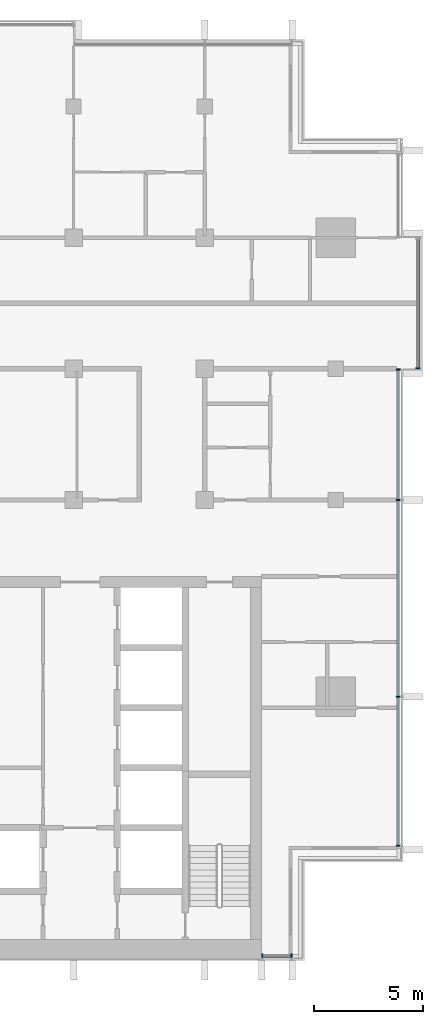
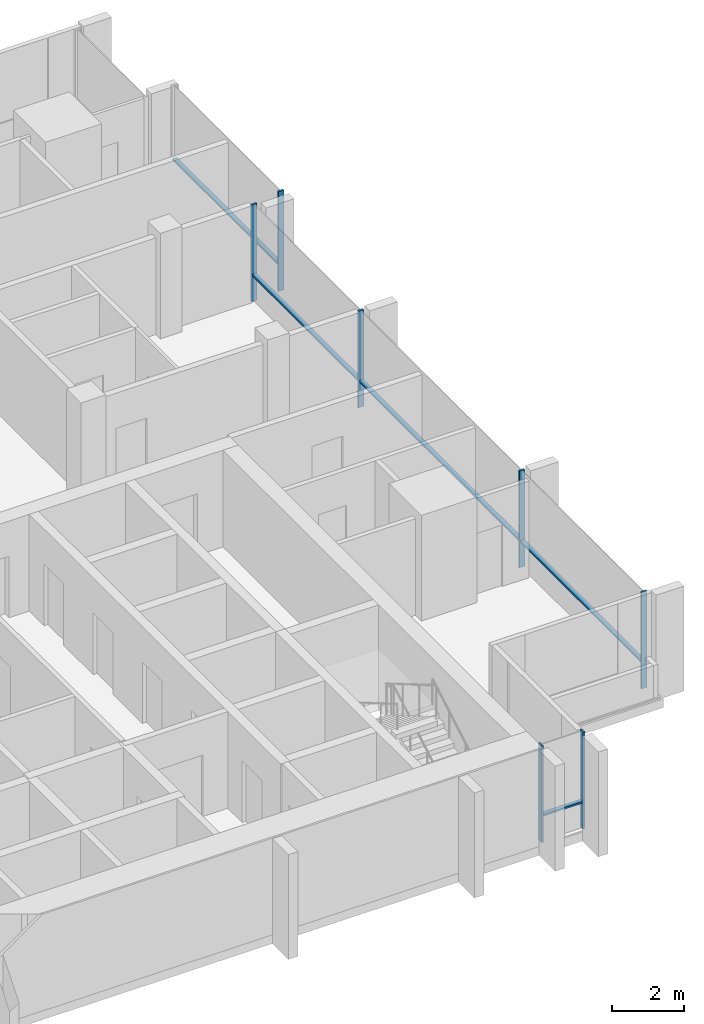
# One storey, part 3 of 16: 12 members, 3 elements without a shape of their own.
"""IFC4 building model written with IfcOpenShell, lengths in metres."""

from ifc_helpers import new_model, si_unit, direction, frame, origin, origin_2d, place, context, subcontext, project, spatial, rectangle, extrude, material, material_profile, profile_set, type_object, element, aggregate, save


model = new_model("IFC4")

# Units and contexts
model_context = context("Model", 3, precision=1e-05, world=origin(), true_north=direction((0.0, 1.0)))
body_context = subcontext(model_context, "Body", "Model", "MODEL_VIEW")
ifc_project = project(units=[si_unit("LENGTHUNIT", "METRE"), si_unit("AREAUNIT", "SQUARE_METRE"), si_unit("VOLUMEUNIT", "CUBIC_METRE"), si_unit("PLANEANGLEUNIT", "RADIAN"), si_unit("MASSUNIT", "GRAM", prefix="KILO")], contexts=[model_context])

# Site, building, storey
site_placement = place(None, origin())
site = spatial("IfcSite", under=ifc_project, at=site_placement, CompositionType="ELEMENT")
building_placement = place(site_placement, origin())
building = spatial("IfcBuilding", under=site, at=building_placement, Name="Finial Court Residences", CompositionType="ELEMENT")
storey_placement = place(building_placement, frame((0.0, 0.0, 255.5)))
storey = spatial("IfcBuildingStorey", under=building, at=storey_placement, Name="L64", CompositionType="ELEMENT", Elevation=255.5)

# Curtain wall, members
ifc_material = material(Name="Bronze anodised aluminium", Category="aluminium")
curtain_wall_type = type_object("IfcCurtainWallType", Name="Unitised curtain wall, upper zones", PredefinedType="NOTDEFINED", material=ifc_material)
curtain_wall_1_placement = place(storey_placement, origin())
curtain_wall_1 = element("IfcCurtainWall", 1, at=curtain_wall_1_placement, inside=storey, type_object=curtain_wall_type, Name="E-L64-CW-E4", PredefinedType="NOTDEFINED")
ifc_material_profile_1 = material_profile(ifc_material, rectangle(XDim=0.175048828125, YDim=0.06005859375, at=origin_2d()), Name="CW2 mullion 60 x 175")
ifc_profile_set_1 = profile_set([ifc_material_profile_1], Name="Bronze anodised aluminium")
member_type_1 = type_object("IfcMemberType", Name="CW2 mullion 60 x 175", PredefinedType="MULLION", material=ifc_profile_set_1)
member_1_placement = place(storey_placement, frame((19.35009765625, -20.320068359375, 0.0), z_axis=(0.0, 0.0, 1.0), x_axis=(-1.0, 0.0, 0.0)))
member_1 = element("IfcMember", 2, at=member_1_placement, type_object=member_type_1, Name="CW2 mullion 1", PredefinedType="MULLION", context=body_context, shape_type="SweptSolid", body=[
    extrude(rectangle(XDim=0.175048828125, YDim=0.06005859375, at=origin_2d()), origin(), (0.0, 0.0, 1.0), 3.300048828125),
])
member_2_placement = place(storey_placement, frame((19.35009765625, -13.5, 0.0), z_axis=(0.0, 0.0, 1.0), x_axis=(-1.0, 0.0, 0.0)))
member_2 = element("IfcMember", 3, at=member_2_placement, type_object=member_type_1, Name="CW2 mullion 2", PredefinedType="MULLION", context=body_context, shape_type="SweptSolid", body=[
    extrude(rectangle(XDim=0.175048828125, YDim=0.06005859375, at=origin_2d()), origin(), (0.0, 0.0, 1.0), 3.300048828125),
])
member_3_placement = place(storey_placement, frame((19.35009765625, -4.5, 0.0), z_axis=(0.0, 0.0, 1.0), x_axis=(-1.0, 0.0, 0.0)))
member_3 = element("IfcMember", 4, at=member_3_placement, type_object=member_type_1, Name="CW2 mullion 3", PredefinedType="MULLION", context=body_context, shape_type="SweptSolid", body=[
    extrude(rectangle(XDim=0.175048828125, YDim=0.06005859375, at=origin_2d()), origin(), (0.0, 0.0, 1.0), 3.300048828125),
])
member_4_placement = place(storey_placement, frame((19.35009765625, 1.469970703125, 0.0), z_axis=(0.0, 0.0, 1.0), x_axis=(-1.0, 0.0, 0.0)))
member_4 = element("IfcMember", 5, at=member_4_placement, type_object=member_type_1, Name="CW2 mullion 4", PredefinedType="MULLION", context=body_context, shape_type="SweptSolid", body=[
    extrude(rectangle(XDim=0.175048828125, YDim=0.06005859375, at=origin_2d()), origin(), (0.0, 0.0, 1.0), 3.300048828125),
])

# Curtain wall, member
curtain_wall_2_placement = place(storey_placement, origin())
curtain_wall_2 = element("IfcCurtainWall", 6, at=curtain_wall_2_placement, inside=storey, type_object=curtain_wall_type, Name="E-L64-CW-E5", PredefinedType="NOTDEFINED")
member_5_placement = place(storey_placement, frame((20.25, 1.530029296875, 0.0), z_axis=(0.0, 0.0, 1.0), x_axis=(-1.0, 0.0, 0.0)))
member_5 = element("IfcMember", 7, at=member_5_placement, type_object=member_type_1, Name="CW2 mullion 1", PredefinedType="MULLION", context=body_context, shape_type="SweptSolid", body=[
    extrude(rectangle(XDim=0.175048828125, YDim=0.06005859375, at=origin_2d()), origin(), (0.0, 0.0, 1.0), 3.39990234375),
])

# Curtain wall, members
curtain_wall_3_placement = place(storey_placement, origin())
curtain_wall_3 = element("IfcCurtainWall", 8, at=curtain_wall_3_placement, inside=storey, type_object=curtain_wall_type, Name="E-L64-CW-S8", PredefinedType="NOTDEFINED")
member_6_placement = place(storey_placement, frame((13.1298828125, -25.35009765625, 0.0), z_axis=(0.0, 0.0, 1.0), x_axis=(0.0, 1.0, 0.0)))
member_6 = element("IfcMember", 9, at=member_6_placement, type_object=member_type_1, Name="CW2 mullion 1", PredefinedType="MULLION", context=body_context, shape_type="SweptSolid", body=[
    extrude(rectangle(XDim=0.175048828125, YDim=0.06005859375, at=origin_2d()), origin(), (0.0, 0.0, 1.0), 3.300048828125),
])
member_7_placement = place(storey_placement, frame((14.469970703125, -25.35009765625, 0.0), z_axis=(0.0, 0.0, 1.0), x_axis=(0.0, 1.0, 0.0)))
member_7 = element("IfcMember", 10, at=member_7_placement, type_object=member_type_1, Name="CW2 mullion 2", PredefinedType="MULLION", context=body_context, shape_type="SweptSolid", body=[
    extrude(rectangle(XDim=0.175048828125, YDim=0.06005859375, at=origin_2d()), origin(), (0.0, 0.0, 1.0), 3.300048828125),
])

# Member
ifc_material_profile_2 = material_profile(ifc_material, rectangle(XDim=0.139892578125, YDim=0.06005859375, at=origin_2d()), Name="CW2 transom 60 x 140")
ifc_profile_set_2 = profile_set([ifc_material_profile_2], Name="Bronze anodised aluminium")
member_type_2 = type_object("IfcMemberType", Name="CW2 transom 60 x 140", PredefinedType="USERDEFINED", material=ifc_profile_set_2)
member_8_placement = place(storey_placement, frame((19.35009765625, -20.2900390625, 0.89990234375), z_axis=(0.0, 1.0, 0.0), x_axis=(-1.0, 0.0, 0.0)))
member_8 = element("IfcMember", 11, at=member_8_placement, type_object=member_type_2, Name="CW2 transom 1.1", ObjectType="TRANSOM", PredefinedType="USERDEFINED", context=body_context, shape_type="SweptSolid", body=[
    extrude(rectangle(XDim=0.139892578125, YDim=0.06005859375, at=origin_2d()), origin(), (0.0, 0.0, 1.0), 6.760009765625),
])

member_9_placement = place(storey_placement, frame((19.35009765625, -13.469970703125, 0.89990234375), z_axis=(0.0, 1.0, 0.0), x_axis=(-1.0, 0.0, 0.0)))
member_9 = element("IfcMember", 12, at=member_9_placement, type_object=member_type_2, Name="CW2 transom 2.1", ObjectType="TRANSOM", PredefinedType="USERDEFINED", context=body_context, shape_type="SweptSolid", body=[
    extrude(rectangle(XDim=0.139892578125, YDim=0.06005859375, at=origin_2d()), origin(), (0.0, 0.0, 1.0), 8.93994140625),
])

member_10_placement = place(storey_placement, frame((19.35009765625, -4.469970703125, 0.89990234375), z_axis=(0.0, 1.0, 0.0), x_axis=(-1.0, 0.0, 0.0)))
member_10 = element("IfcMember", 13, at=member_10_placement, type_object=member_type_2, Name="CW2 transom 3.1", ObjectType="TRANSOM", PredefinedType="USERDEFINED", context=body_context, shape_type="SweptSolid", body=[
    extrude(rectangle(XDim=0.139892578125, YDim=0.06005859375, at=origin_2d()), origin(), (0.0, 0.0, 1.0), 5.909912109375),
])

aggregate(curtain_wall_1, [member_1, member_2, member_3, member_4, member_8, member_9, member_10])

member_11_placement = place(storey_placement, frame((20.25, 1.56005859375, 0.89990234375), z_axis=(0.0, 1.0, 0.0), x_axis=(-1.0, 0.0, 0.0)))
member_11 = element("IfcMember", 14, at=member_11_placement, type_object=member_type_2, Name="CW2 transom 1.1", ObjectType="TRANSOM", PredefinedType="USERDEFINED", context=body_context, shape_type="SweptSolid", body=[
    extrude(rectangle(XDim=0.139892578125, YDim=0.06005859375, at=origin_2d()), origin(), (0.0, 0.0, 1.0), 5.8798828125),
])

aggregate(curtain_wall_2, [member_5, member_11])

member_12_placement = place(storey_placement, frame((13.159912109375, -25.35009765625, 0.89990234375), z_axis=(1.0, 0.0, 0.0), x_axis=(0.0, 1.0, 0.0)))
member_12 = element("IfcMember", 15, at=member_12_placement, type_object=member_type_2, Name="CW2 transom 1.1", ObjectType="TRANSOM", PredefinedType="USERDEFINED", context=body_context, shape_type="SweptSolid", body=[
    extrude(rectangle(XDim=0.139892578125, YDim=0.06005859375, at=origin_2d()), origin(), (0.0, 0.0, 1.0), 1.280029296875),
])

aggregate(curtain_wall_3, [member_6, member_7, member_12])

save(model, "model.ifc")
